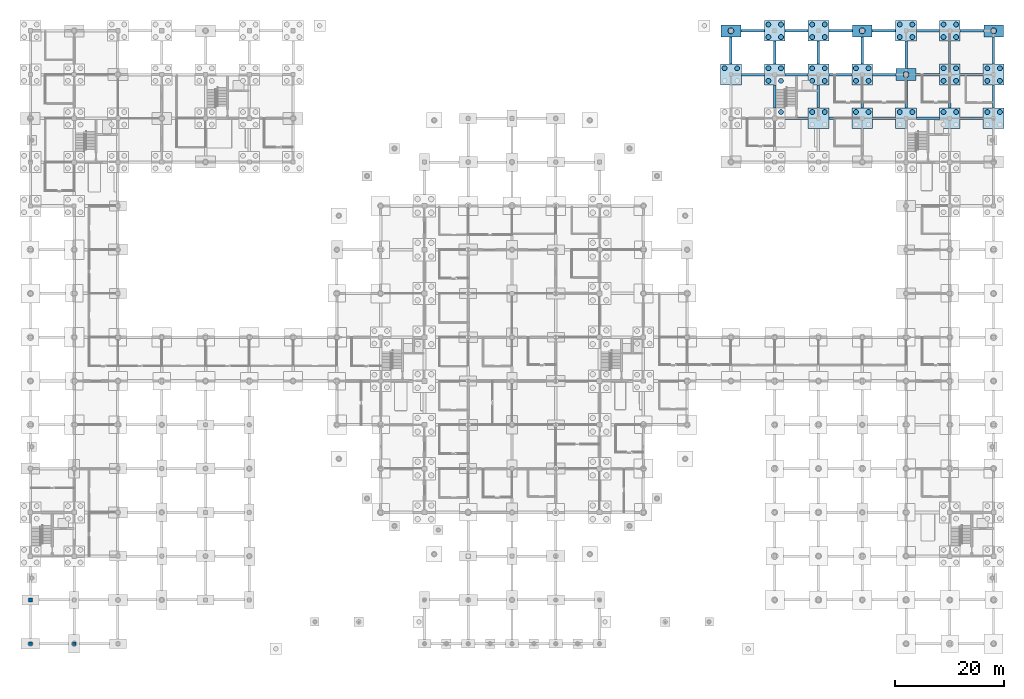
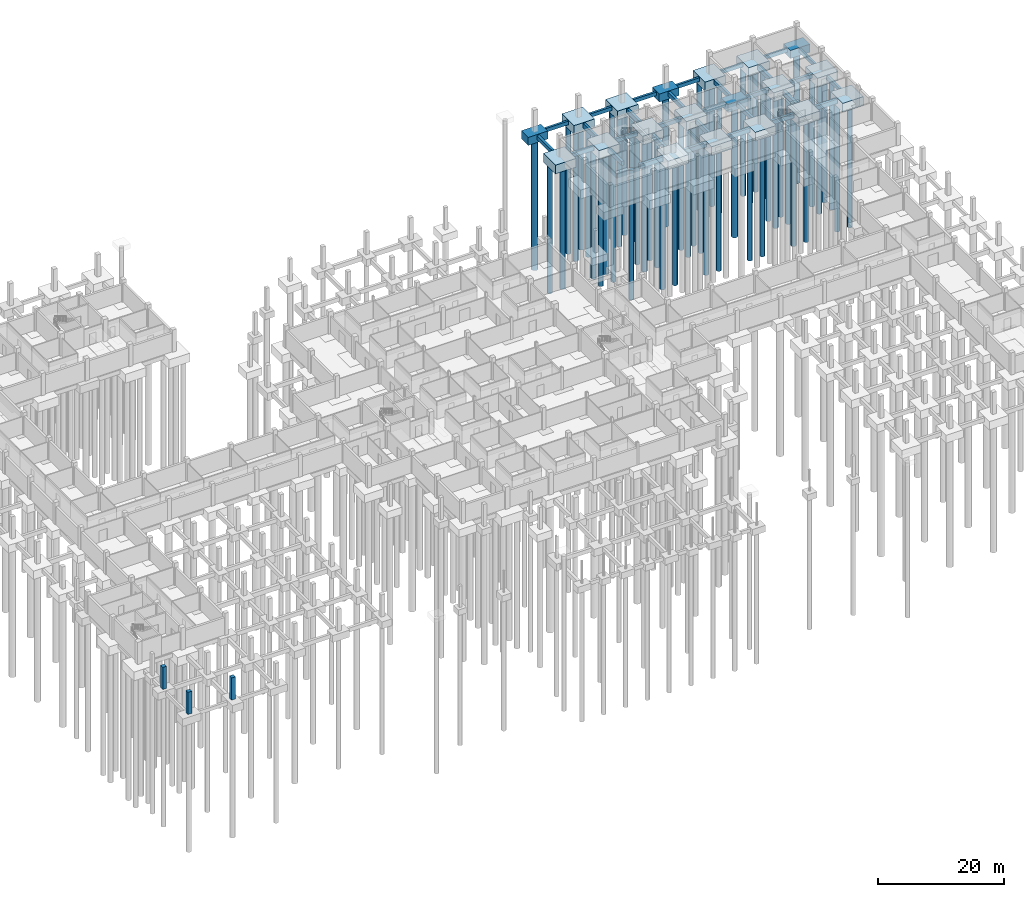
# One storey, part 11 of 48: 53 piles, 49 footings, 3 columns.
"""IFC4 building model written with IfcOpenShell, lengths in metres."""

from ifc_helpers import new_model, si_unit, derived_unit, direction, frame, origin, origin_2d, place, context, subcontext, project, spatial, rectangle, circle, extrude, material, material_profile, profile_set, type_object, element, save


model = new_model("IFC4")

# Units and contexts
model_context = context("Model", 3, precision=1e-05, world=origin(), true_north=direction((0.0, 1.0)))
body_context = subcontext(model_context, "Body", "Model", "MODEL_VIEW")
ifc_project = project(units=[si_unit("LENGTHUNIT", "METRE"), si_unit("AREAUNIT", "SQUARE_METRE"), si_unit("VOLUMEUNIT", "CUBIC_METRE"), si_unit("PLANEANGLEUNIT", "RADIAN"), si_unit("MASSUNIT", "GRAM", prefix="KILO"), derived_unit("THERMALTRANSMITTANCEUNIT", [(si_unit("MASSUNIT", "GRAM", prefix="KILO"), 1), (si_unit("TIMEUNIT", "SECOND"), -3), (si_unit("THERMODYNAMICTEMPERATUREUNIT", "KELVIN"), -1)])], contexts=[model_context])

# Site, building, storey
site_placement = place(None, origin())
site = spatial("IfcSite", under=ifc_project, at=site_placement, CompositionType="ELEMENT")
building_placement = place(site_placement, origin())
building = spatial("IfcBuilding", under=site, at=building_placement, Name="Veyamyaing Civic Hall", CompositionType="ELEMENT")
storey_placement = place(building_placement, frame((0.0, 0.0, -4.2900390625)))
storey = spatial("IfcBuildingStorey", under=building, at=storey_placement, Name="B1", CompositionType="ELEMENT", Elevation=-4.2900390625)

# Footings
ifc_material_1 = material(Name="Concrete C40/50", Category="concrete")
ifc_material_profile_1 = material_profile(ifc_material_1, rectangle(XDim=0.5, YDim=0.85009765625, at=origin_2d()), Name="GB-500X850")
ifc_profile_set_1 = profile_set([ifc_material_profile_1], Name="Concrete C40/50")
footing_type_1 = type_object("IfcFootingType", Name="GB-01", PredefinedType="FOOTING_BEAM", material=ifc_profile_set_1)
for number, where, z_axis, x_axis, name in (
    (1, (137.89990234375, 96.0, -0.574951171875), (1.0, 0.0, 0.0), (0.0, 1.0, 0.0), "Footing tie beam GB-01 X 17-12"),
    (2, (145.89990234375, 96.0, -0.574951171875), (1.0, 0.0, 0.0), (0.0, 1.0, 0.0), "Footing tie beam GB-01 X 18-12"),
    (3, (153.89990234375, 96.0, -0.574951171875), (1.0, 0.0, 0.0), (0.0, 1.0, 0.0), "Footing tie beam GB-01 X 19-12"),
    (4, (161.89990234375, 96.0, -0.574951171875), (1.0, 0.0, 0.0), (0.0, 1.0, 0.0), "Footing tie beam GB-01 X 20-12"),
    (5, (169.89990234375, 96.0, -0.574951171875), (1.0, 0.0, 0.0), (0.0, 1.0, 0.0), "Footing tie beam GB-01 X 21-12"),
    (6, (168.0, 97.89990234375, -0.574951171875), (0.0, 1.0, 0.0), (-1.0, 0.0, 0.0), "Footing tie beam GB-01 Y 21-12"),
    (7, (168.0, 105.89990234375, -0.574951171875), (0.0, 1.0, 0.0), (-1.0, 0.0, 0.0), "Footing tie beam GB-01 Y 21-13"),
):
    element("IfcFooting", number, at=place(storey_placement, frame(where, z_axis=z_axis, x_axis=x_axis)), inside=storey, type_object=footing_type_1, Name=name, PredefinedType="FOOTING_BEAM", context=body_context, shape_type="SweptSolid", body=[
        extrude(rectangle(XDim=0.5, YDim=0.85009765625, at=origin_2d()), origin(), (0.0, 0.0, 1.0), 4.2001953125),
    ])
ifc_material_profile_2 = material_profile(ifc_material_1, rectangle(XDim=0.449951171875, YDim=0.800048828125, at=origin_2d()), Name="GB-450X800")
ifc_profile_set_2 = profile_set([ifc_material_profile_2], Name="Concrete C40/50")
footing_type_2 = type_object("IfcFootingType", Name="GB-02", PredefinedType="FOOTING_BEAM", material=ifc_profile_set_2)
footing_1_placement = place(storey_placement, frame((129.89990234375, 104.0, -0.550048828125), z_axis=(1.0, 0.0, 0.0), x_axis=(0.0, 1.0, 0.0)))
element("IfcFooting", 8, at=footing_1_placement, inside=storey, type_object=footing_type_2, Name="Footing tie beam GB-02 X 16-13", PredefinedType="FOOTING_BEAM", context=body_context, shape_type="SweptSolid", body=[
    extrude(rectangle(XDim=0.449951171875, YDim=0.800048828125, at=origin_2d()), origin(), (0.0, 0.0, 1.0), 4.2001953125),
])
footing_2_placement = place(storey_placement, frame((128.0, 105.89990234375, -0.550048828125), z_axis=(0.0, 1.0, 0.0), x_axis=(-1.0, 0.0, 0.0)))
element("IfcFooting", 9, at=footing_2_placement, inside=storey, type_object=footing_type_2, Name="Footing tie beam GB-02 Y 16-13", PredefinedType="FOOTING_BEAM", context=body_context, shape_type="SweptSolid", body=[
    extrude(rectangle(XDim=0.449951171875, YDim=0.800048828125, at=origin_2d()), origin(), (0.0, 0.0, 1.0), 5.0),
])
for number, where, z_axis, x_axis, name in (
    (10, (136.0, 97.89990234375, -0.550048828125), (0.0, 1.0, 0.0), (-1.0, 0.0, 0.0), "Footing tie beam GB-02 Y 17-12"),
    (11, (137.89990234375, 104.0, -0.550048828125), (1.0, 0.0, 0.0), (0.0, 1.0, 0.0), "Footing tie beam GB-02 X 17-13"),
    (12, (136.0, 105.89990234375, -0.550048828125), (0.0, 1.0, 0.0), (-1.0, 0.0, 0.0), "Footing tie beam GB-02 Y 17-13"),
    (13, (144.0, 97.89990234375, -0.550048828125), (0.0, 1.0, 0.0), (-1.0, 0.0, 0.0), "Footing tie beam GB-02 Y 18-12"),
    (14, (145.89990234375, 104.0, -0.550048828125), (1.0, 0.0, 0.0), (0.0, 1.0, 0.0), "Footing tie beam GB-02 X 18-13"),
    (15, (144.0, 105.89990234375, -0.550048828125), (0.0, 1.0, 0.0), (-1.0, 0.0, 0.0), "Footing tie beam GB-02 Y 18-13"),
    (16, (152.0, 97.89990234375, -0.550048828125), (0.0, 1.0, 0.0), (-1.0, 0.0, 0.0), "Footing tie beam GB-02 Y 19-12"),
):
    element("IfcFooting", number, at=place(storey_placement, frame(where, z_axis=z_axis, x_axis=x_axis)), inside=storey, type_object=footing_type_2, Name=name, PredefinedType="FOOTING_BEAM", context=body_context, shape_type="SweptSolid", body=[
        extrude(rectangle(XDim=0.449951171875, YDim=0.800048828125, at=origin_2d()), origin(), (0.0, 0.0, 1.0), 4.2001953125),
    ])
footing_3_placement = place(storey_placement, frame((153.89990234375, 104.0, -0.550048828125), z_axis=(1.0, 0.0, 0.0), x_axis=(0.0, 1.0, 0.0)))
element("IfcFooting", 17, at=footing_3_placement, inside=storey, type_object=footing_type_2, Name="Footing tie beam GB-02 X 19-13", PredefinedType="FOOTING_BEAM", context=body_context, shape_type="SweptSolid", body=[
    extrude(rectangle(XDim=0.449951171875, YDim=0.800048828125, at=origin_2d()), origin(), (0.0, 0.0, 1.0), 4.300048828125),
])
for number, where, z_axis, x_axis, name in (
    (18, (152.0, 105.89990234375, -0.550048828125), (0.0, 1.0, 0.0), (-1.0, 0.0, 0.0), "Footing tie beam GB-02 Y 19-13"),
    (19, (160.0, 97.89990234375, -0.550048828125), (0.0, 1.0, 0.0), (-1.0, 0.0, 0.0), "Footing tie beam GB-02 Y 20-12"),
):
    element("IfcFooting", number, at=place(storey_placement, frame(where, z_axis=z_axis, x_axis=x_axis)), inside=storey, type_object=footing_type_2, Name=name, PredefinedType="FOOTING_BEAM", context=body_context, shape_type="SweptSolid", body=[
        extrude(rectangle(XDim=0.449951171875, YDim=0.800048828125, at=origin_2d()), origin(), (0.0, 0.0, 1.0), 5.0),
    ])
footing_4_placement = place(storey_placement, frame((161.800048828125, 104.0, -0.550048828125), z_axis=(1.0, 0.0, 0.0), x_axis=(0.0, 1.0, 0.0)))
element("IfcFooting", 20, at=footing_4_placement, inside=storey, type_object=footing_type_2, Name="Footing tie beam GB-02 X 20-13", PredefinedType="FOOTING_BEAM", context=body_context, shape_type="SweptSolid", body=[
    extrude(rectangle(XDim=0.449951171875, YDim=0.800048828125, at=origin_2d()), origin(), (0.0, 0.0, 1.0), 4.300048828125),
])
footing_5_placement = place(storey_placement, frame((160.0, 105.10009765625, -0.550048828125), z_axis=(0.0, 1.0, 0.0), x_axis=(-1.0, 0.0, 0.0)))
element("IfcFooting", 21, at=footing_5_placement, inside=storey, type_object=footing_type_2, Name="Footing tie beam GB-02 Y 20-13", PredefinedType="FOOTING_BEAM", context=body_context, shape_type="SweptSolid", body=[
    extrude(rectangle(XDim=0.449951171875, YDim=0.800048828125, at=origin_2d()), origin(), (0.0, 0.0, 1.0), 5.0),
])
footing_6_placement = place(storey_placement, frame((169.89990234375, 104.0, -0.550048828125), z_axis=(1.0, 0.0, 0.0), x_axis=(0.0, 1.0, 0.0)))
element("IfcFooting", 22, at=footing_6_placement, inside=storey, type_object=footing_type_2, Name="Footing tie beam GB-02 X 21-13", PredefinedType="FOOTING_BEAM", context=body_context, shape_type="SweptSolid", body=[
    extrude(rectangle(XDim=0.449951171875, YDim=0.800048828125, at=origin_2d()), origin(), (0.0, 0.0, 1.0), 4.2001953125),
])
ifc_material_profile_3 = material_profile(ifc_material_1, rectangle(XDim=0.39990234375, YDim=0.699951171875, at=origin_2d()), Name="GB-400X700")
ifc_profile_set_3 = profile_set([ifc_material_profile_3], Name="Concrete C40/50")
footing_type_3 = type_object("IfcFootingType", Name="GB-03", PredefinedType="FOOTING_BEAM", material=ifc_profile_set_3)
footing_7_placement = place(storey_placement, frame((129.800048828125, 112.0, -0.5), z_axis=(1.0, 0.0, 0.0), x_axis=(0.0, 1.0, 0.0)))
element("IfcFooting", 23, at=footing_7_placement, inside=storey, type_object=footing_type_3, Name="Footing tie beam GB-03 X 16-14", PredefinedType="FOOTING_BEAM", context=body_context, shape_type="SweptSolid", body=[
    extrude(rectangle(XDim=0.39990234375, YDim=0.699951171875, at=origin_2d()), origin(), (0.0, 0.0, 1.0), 4.300048828125),
])
footing_8_placement = place(storey_placement, frame((137.89990234375, 112.0, -0.5), z_axis=(1.0, 0.0, 0.0), x_axis=(0.0, 1.0, 0.0)))
element("IfcFooting", 24, at=footing_8_placement, inside=storey, type_object=footing_type_3, Name="Footing tie beam GB-03 X 17-14", PredefinedType="FOOTING_BEAM", context=body_context, shape_type="SweptSolid", body=[
    extrude(rectangle(XDim=0.39990234375, YDim=0.699951171875, at=origin_2d()), origin(), (0.0, 0.0, 1.0), 4.2001953125),
])
for number, where, z_axis, x_axis, name in (
    (25, (145.89990234375, 112.0, -0.5), (1.0, 0.0, 0.0), (0.0, 1.0, 0.0), "Footing tie beam GB-03 X 18-14"),
    (26, (153.800048828125, 112.0, -0.5), (1.0, 0.0, 0.0), (0.0, 1.0, 0.0), "Footing tie beam GB-03 X 19-14"),
):
    element("IfcFooting", number, at=place(storey_placement, frame(where, z_axis=z_axis, x_axis=x_axis)), inside=storey, type_object=footing_type_3, Name=name, PredefinedType="FOOTING_BEAM", context=body_context, shape_type="SweptSolid", body=[
        extrude(rectangle(XDim=0.39990234375, YDim=0.699951171875, at=origin_2d()), origin(), (0.0, 0.0, 1.0), 4.300048828125),
    ])
footing_9_placement = place(storey_placement, frame((161.89990234375, 112.0, -0.5), z_axis=(1.0, 0.0, 0.0), x_axis=(0.0, 1.0, 0.0)))
element("IfcFooting", 27, at=footing_9_placement, inside=storey, type_object=footing_type_3, Name="Footing tie beam GB-03 X 20-14", PredefinedType="FOOTING_BEAM", context=body_context, shape_type="SweptSolid", body=[
    extrude(rectangle(XDim=0.39990234375, YDim=0.699951171875, at=origin_2d()), origin(), (0.0, 0.0, 1.0), 4.2001953125),
])
footing_10_placement = place(storey_placement, frame((169.89990234375, 112.0, -0.5), z_axis=(1.0, 0.0, 0.0), x_axis=(0.0, 1.0, 0.0)))
element("IfcFooting", 28, at=footing_10_placement, inside=storey, type_object=footing_type_3, Name="Footing tie beam GB-03 X 21-14", PredefinedType="FOOTING_BEAM", context=body_context, shape_type="SweptSolid", body=[
    extrude(rectangle(XDim=0.39990234375, YDim=0.699951171875, at=origin_2d()), origin(), (0.0, 0.0, 1.0), 4.300048828125),
])
footing_11_placement = place(storey_placement, frame((176.0, 97.89990234375, -0.5), z_axis=(0.0, 1.0, 0.0), x_axis=(-1.0, 0.0, 0.0)))
element("IfcFooting", 29, at=footing_11_placement, inside=storey, type_object=footing_type_3, Name="Footing tie beam GB-03 Y 22-12", PredefinedType="FOOTING_BEAM", context=body_context, shape_type="SweptSolid", body=[
    extrude(rectangle(XDim=0.39990234375, YDim=0.699951171875, at=origin_2d()), origin(), (0.0, 0.0, 1.0), 4.2001953125),
])
footing_12_placement = place(storey_placement, frame((176.0, 105.89990234375, -0.5), z_axis=(0.0, 1.0, 0.0), x_axis=(-1.0, 0.0, 0.0)))
element("IfcFooting", 30, at=footing_12_placement, inside=storey, type_object=footing_type_3, Name="Footing tie beam GB-03 Y 22-13", PredefinedType="FOOTING_BEAM", context=body_context, shape_type="SweptSolid", body=[
    extrude(rectangle(XDim=0.39990234375, YDim=0.699951171875, at=origin_2d()), origin(), (0.0, 0.0, 1.0), 5.0),
])

# Piles
ifc_material_2 = material(Name="Concrete C35/45", Category="concrete")
ifc_material_profile_4 = material_profile(ifc_material_2, circle(Radius=0.550048828125, at=origin_2d()), Name="PILE-D1100")
ifc_profile_set_4 = profile_set([ifc_material_profile_4], Name="Concrete C35/45")
pile_type_1 = type_object("IfcPileType", Name="P-02", PredefinedType="BORED", material=ifc_profile_set_4)
for number, where, z_axis, x_axis, name in (
    (31, (128.0, 112.0, -1.449951171875), (0.0, 0.0, -1.0), (1.0, 0.0, 0.0), "Bored pile P-02 G16-14.1"),
    (32, (152.0, 112.0, -1.449951171875), (0.0, 0.0, -1.0), (1.0, 0.0, 0.0), "Bored pile P-02 G19-14.1"),
    (33, (160.0, 104.0, -1.449951171875), (0.0, 0.0, -1.0), (1.0, 0.0, 0.0), "Bored pile P-02 G20-13.1"),
    (34, (176.0, 112.0, -1.449951171875), (0.0, 0.0, -1.0), (1.0, 0.0, 0.0), "Bored pile P-02 G22-14.1"),
):
    element("IfcPile", number, at=place(storey_placement, frame(where, z_axis=z_axis, x_axis=x_axis)), inside=storey, type_object=pile_type_1, Name=name, PredefinedType="BORED", context=body_context, shape_type="SweptSolid", body=[
        extrude(circle(Radius=0.550048828125, at=origin_2d()), origin(), (0.0, 0.0, 1.0), 25.260009765625),
    ])
ifc_material_profile_5 = material_profile(ifc_material_2, circle(Radius=0.449951171875, at=origin_2d()), Name="PILE-D900")
ifc_profile_set_5 = profile_set([ifc_material_profile_5], Name="Concrete C35/45")
pile_type_2 = type_object("IfcPileType", Name="P-04", PredefinedType="BORED", material=ifc_profile_set_5)
for number, where, z_axis, x_axis, name in (
    (35, (126.85009765625, 105.14990234375, -1.599853515625), (0.0, 0.0, -1.0), (1.0, 0.0, 0.0), "Bored pile P-04 G16-13.2"),
    (36, (129.14990234375, 105.14990234375, -1.599853515625), (0.0, 0.0, -1.0), (1.0, 0.0, 0.0), "Bored pile P-04 G16-13.4"),
    (37, (137.14990234375, 97.14990234375, -1.599853515625), (0.0, 0.0, -1.0), (1.0, 0.0, 0.0), "Bored pile P-04 G17-12.4"),
    (38, (134.85009765625, 102.85009765625, -1.599853515625), (0.0, 0.0, -1.0), (1.0, 0.0, 0.0), "Bored pile P-04 G17-13.1"),
    (39, (134.85009765625, 105.14990234375, -1.599853515625), (0.0, 0.0, -1.0), (1.0, 0.0, 0.0), "Bored pile P-04 G17-13.2"),
    (40, (137.14990234375, 102.85009765625, -1.599853515625), (0.0, 0.0, -1.0), (1.0, 0.0, 0.0), "Bored pile P-04 G17-13.3"),
    (41, (137.14990234375, 105.14990234375, -1.599853515625), (0.0, 0.0, -1.0), (1.0, 0.0, 0.0), "Bored pile P-04 G17-13.4"),
    (42, (134.85009765625, 110.85009765625, -1.599853515625), (0.0, 0.0, -1.0), (1.0, 0.0, 0.0), "Bored pile P-04 G17-14.1"),
    (43, (134.85009765625, 113.14990234375, -1.599853515625), (0.0, 0.0, -1.0), (1.0, 0.0, 0.0), "Bored pile P-04 G17-14.2"),
    (44, (137.14990234375, 110.85009765625, -1.599853515625), (0.0, 0.0, -1.0), (1.0, 0.0, 0.0), "Bored pile P-04 G17-14.3"),
    (45, (137.14990234375, 113.14990234375, -1.599853515625), (0.0, 0.0, -1.0), (1.0, 0.0, 0.0), "Bored pile P-04 G17-14.4"),
    (46, (142.85009765625, 97.14990234375, -1.599853515625), (0.0, 0.0, -1.0), (1.0, 0.0, 0.0), "Bored pile P-04 G18-12.2"),
    (47, (145.14990234375, 97.14990234375, -1.599853515625), (0.0, 0.0, -1.0), (1.0, 0.0, 0.0), "Bored pile P-04 G18-12.4"),
    (48, (142.85009765625, 102.85009765625, -1.599853515625), (0.0, 0.0, -1.0), (1.0, 0.0, 0.0), "Bored pile P-04 G18-13.1"),
    (49, (142.85009765625, 105.14990234375, -1.599853515625), (0.0, 0.0, -1.0), (1.0, 0.0, 0.0), "Bored pile P-04 G18-13.2"),
    (50, (145.14990234375, 102.85009765625, -1.599853515625), (0.0, 0.0, -1.0), (1.0, 0.0, 0.0), "Bored pile P-04 G18-13.3"),
    (51, (145.14990234375, 105.14990234375, -1.599853515625), (0.0, 0.0, -1.0), (1.0, 0.0, 0.0), "Bored pile P-04 G18-13.4"),
    (52, (142.85009765625, 110.85009765625, -1.599853515625), (0.0, 0.0, -1.0), (1.0, 0.0, 0.0), "Bored pile P-04 G18-14.1"),
    (53, (142.85009765625, 113.14990234375, -1.599853515625), (0.0, 0.0, -1.0), (1.0, 0.0, 0.0), "Bored pile P-04 G18-14.2"),
    (54, (145.14990234375, 110.85009765625, -1.599853515625), (0.0, 0.0, -1.0), (1.0, 0.0, 0.0), "Bored pile P-04 G18-14.3"),
    (55, (145.14990234375, 113.14990234375, -1.599853515625), (0.0, 0.0, -1.0), (1.0, 0.0, 0.0), "Bored pile P-04 G18-14.4"),
    (56, (150.85009765625, 97.14990234375, -1.599853515625), (0.0, 0.0, -1.0), (1.0, 0.0, 0.0), "Bored pile P-04 G19-12.2"),
    (57, (153.14990234375, 97.14990234375, -1.599853515625), (0.0, 0.0, -1.0), (1.0, 0.0, 0.0), "Bored pile P-04 G19-12.4"),
    (58, (150.85009765625, 102.85009765625, -1.599853515625), (0.0, 0.0, -1.0), (1.0, 0.0, 0.0), "Bored pile P-04 G19-13.1"),
    (59, (150.85009765625, 105.14990234375, -1.599853515625), (0.0, 0.0, -1.0), (1.0, 0.0, 0.0), "Bored pile P-04 G19-13.2"),
    (60, (153.14990234375, 102.85009765625, -1.599853515625), (0.0, 0.0, -1.0), (1.0, 0.0, 0.0), "Bored pile P-04 G19-13.3"),
    (61, (153.14990234375, 105.14990234375, -1.599853515625), (0.0, 0.0, -1.0), (1.0, 0.0, 0.0), "Bored pile P-04 G19-13.4"),
    (62, (158.85009765625, 97.14990234375, -1.599853515625), (0.0, 0.0, -1.0), (1.0, 0.0, 0.0), "Bored pile P-04 G20-12.2"),
    (63, (161.14990234375, 97.14990234375, -1.599853515625), (0.0, 0.0, -1.0), (1.0, 0.0, 0.0), "Bored pile P-04 G20-12.4"),
    (64, (158.85009765625, 110.85009765625, -1.599853515625), (0.0, 0.0, -1.0), (1.0, 0.0, 0.0), "Bored pile P-04 G20-14.1"),
    (65, (158.85009765625, 113.14990234375, -1.599853515625), (0.0, 0.0, -1.0), (1.0, 0.0, 0.0), "Bored pile P-04 G20-14.2"),
    (66, (161.14990234375, 110.85009765625, -1.599853515625), (0.0, 0.0, -1.0), (1.0, 0.0, 0.0), "Bored pile P-04 G20-14.3"),
    (67, (161.14990234375, 113.14990234375, -1.599853515625), (0.0, 0.0, -1.0), (1.0, 0.0, 0.0), "Bored pile P-04 G20-14.4"),
    (68, (166.85009765625, 97.14990234375, -1.599853515625), (0.0, 0.0, -1.0), (1.0, 0.0, 0.0), "Bored pile P-04 G21-12.2"),
    (69, (169.14990234375, 97.14990234375, -1.599853515625), (0.0, 0.0, -1.0), (1.0, 0.0, 0.0), "Bored pile P-04 G21-12.4"),
    (70, (166.85009765625, 102.85009765625, -1.599853515625), (0.0, 0.0, -1.0), (1.0, 0.0, 0.0), "Bored pile P-04 G21-13.1"),
    (71, (166.85009765625, 105.14990234375, -1.599853515625), (0.0, 0.0, -1.0), (1.0, 0.0, 0.0), "Bored pile P-04 G21-13.2"),
    (72, (169.14990234375, 102.85009765625, -1.599853515625), (0.0, 0.0, -1.0), (1.0, 0.0, 0.0), "Bored pile P-04 G21-13.3"),
    (73, (169.14990234375, 105.14990234375, -1.599853515625), (0.0, 0.0, -1.0), (1.0, 0.0, 0.0), "Bored pile P-04 G21-13.4"),
    (74, (166.85009765625, 110.85009765625, -1.599853515625), (0.0, 0.0, -1.0), (1.0, 0.0, 0.0), "Bored pile P-04 G21-14.1"),
    (75, (166.85009765625, 113.14990234375, -1.599853515625), (0.0, 0.0, -1.0), (1.0, 0.0, 0.0), "Bored pile P-04 G21-14.2"),
    (76, (169.14990234375, 110.85009765625, -1.599853515625), (0.0, 0.0, -1.0), (1.0, 0.0, 0.0), "Bored pile P-04 G21-14.3"),
    (77, (169.14990234375, 113.14990234375, -1.599853515625), (0.0, 0.0, -1.0), (1.0, 0.0, 0.0), "Bored pile P-04 G21-14.4"),
    (78, (174.85009765625, 97.14990234375, -1.599853515625), (0.0, 0.0, -1.0), (1.0, 0.0, 0.0), "Bored pile P-04 G22-12.2"),
    (79, (177.14990234375, 97.14990234375, -1.599853515625), (0.0, 0.0, -1.0), (1.0, 0.0, 0.0), "Bored pile P-04 G22-12.4"),
    (80, (174.85009765625, 102.85009765625, -1.599853515625), (0.0, 0.0, -1.0), (1.0, 0.0, 0.0), "Bored pile P-04 G22-13.1"),
    (81, (174.85009765625, 105.14990234375, -1.599853515625), (0.0, 0.0, -1.0), (1.0, 0.0, 0.0), "Bored pile P-04 G22-13.2"),
    (82, (177.14990234375, 102.85009765625, -1.599853515625), (0.0, 0.0, -1.0), (1.0, 0.0, 0.0), "Bored pile P-04 G22-13.3"),
    (83, (177.14990234375, 105.14990234375, -1.599853515625), (0.0, 0.0, -1.0), (1.0, 0.0, 0.0), "Bored pile P-04 G22-13.4"),
):
    element("IfcPile", number, at=place(storey_placement, frame(where, z_axis=z_axis, x_axis=x_axis)), inside=storey, type_object=pile_type_2, Name=name, PredefinedType="BORED", context=body_context, shape_type="SweptSolid", body=[
        extrude(circle(Radius=0.449951171875, at=origin_2d()), origin(), (0.0, 0.0, 1.0), 25.110107421875),
    ])

# Footings
footing_type_4 = type_object("IfcFootingType", Name="PC-01", PredefinedType="PILE_CAP", material=ifc_material_1)
for number, where, z_axis, x_axis, name in (
    (84, (128.0, 104.0, -1.69970703125), (0.0, 0.0, 1.0), (1.0, 0.0, 0.0), "Pile cap PC-01 G16-13"),
    (85, (136.0, 104.0, -1.69970703125), (0.0, 0.0, 1.0), (1.0, 0.0, 0.0), "Pile cap PC-01 G17-13"),
    (86, (136.0, 112.0, -1.69970703125), (0.0, 0.0, 1.0), (1.0, 0.0, 0.0), "Pile cap PC-01 G17-14"),
    (87, (144.0, 96.0, -1.69970703125), (0.0, 0.0, 1.0), (1.0, 0.0, 0.0), "Pile cap PC-01 G18-12"),
    (88, (144.0, 104.0, -1.69970703125), (0.0, 0.0, 1.0), (1.0, 0.0, 0.0), "Pile cap PC-01 G18-13"),
    (89, (144.0, 112.0, -1.69970703125), (0.0, 0.0, 1.0), (1.0, 0.0, 0.0), "Pile cap PC-01 G18-14"),
    (90, (152.0, 96.0, -1.69970703125), (0.0, 0.0, 1.0), (1.0, 0.0, 0.0), "Pile cap PC-01 G19-12"),
    (91, (152.0, 104.0, -1.69970703125), (0.0, 0.0, 1.0), (1.0, 0.0, 0.0), "Pile cap PC-01 G19-13"),
    (92, (160.0, 96.0, -1.69970703125), (0.0, 0.0, 1.0), (1.0, 0.0, 0.0), "Pile cap PC-01 G20-12"),
    (93, (160.0, 112.0, -1.69970703125), (0.0, 0.0, 1.0), (1.0, 0.0, 0.0), "Pile cap PC-01 G20-14"),
    (94, (168.0, 96.0, -1.69970703125), (0.0, 0.0, 1.0), (1.0, 0.0, 0.0), "Pile cap PC-01 G21-12"),
    (95, (168.0, 104.0, -1.69970703125), (0.0, 0.0, 1.0), (1.0, 0.0, 0.0), "Pile cap PC-01 G21-13"),
    (96, (168.0, 112.0, -1.69970703125), (0.0, 0.0, 1.0), (1.0, 0.0, 0.0), "Pile cap PC-01 G21-14"),
    (97, (176.0, 96.0, -1.69970703125), (0.0, 0.0, 1.0), (1.0, 0.0, 0.0), "Pile cap PC-01 G22-12"),
    (98, (176.0, 104.0, -1.69970703125), (0.0, 0.0, 1.0), (1.0, 0.0, 0.0), "Pile cap PC-01 G22-13"),
):
    element("IfcFooting", number, at=place(storey_placement, frame(where, z_axis=z_axis, x_axis=x_axis)), inside=storey, type_object=footing_type_4, Name=name, PredefinedType="PILE_CAP", context=body_context, shape_type="SweptSolid", body=[
        extrude(rectangle(XDim=3.800048828125, YDim=3.800048828125, at=origin_2d()), origin(), (0.0, 0.0, 1.0), 1.699951171875),
    ])
footing_type_5 = type_object("IfcFootingType", Name="PC-12", PredefinedType="PILE_CAP", material=ifc_material_1)
for number, where, z_axis, x_axis, name in (
    (99, (128.0, 112.0, -1.5498046875), (0.0, 0.0, 1.0), (1.0, 0.0, 0.0), "Pile cap PC-12 G16-14"),
    (100, (152.0, 112.0, -1.5498046875), (0.0, 0.0, 1.0), (1.0, 0.0, 0.0), "Pile cap PC-12 G19-14"),
    (101, (160.0, 104.0, -1.5498046875), (0.0, 0.0, 1.0), (1.0, 0.0, 0.0), "Pile cap PC-12 G20-13"),
    (102, (176.0, 112.0, -1.5498046875), (0.0, 0.0, 1.0), (1.0, 0.0, 0.0), "Pile cap PC-12 G22-14"),
):
    element("IfcFooting", number, at=place(storey_placement, frame(where, z_axis=z_axis, x_axis=x_axis)), inside=storey, type_object=footing_type_5, Name=name, PredefinedType="PILE_CAP", context=body_context, shape_type="SweptSolid", body=[
        extrude(rectangle(XDim=3.60009765625, YDim=2.199951171875, at=origin_2d()), origin(), (0.0, 0.0, 1.0), 1.550048828125),
    ])

# Columns
ifc_material_3 = material(Name="Concrete C45/55", Category="concrete")
ifc_material_profile_6 = material_profile(ifc_material_3, rectangle(XDim=0.699951171875, YDim=0.699951171875, at=origin_2d()), Name="RC-COL-700X700")
ifc_profile_set_6 = profile_set([ifc_material_profile_6], Name="Concrete C45/55")
column_type = type_object("IfcColumnType", Name="C-04", PredefinedType="COLUMN", material=ifc_profile_set_6)
for number, where, z_axis, x_axis, name in (
    (103, (0.0, 0.0, 0.0), (0.0, 0.0, 1.0), (1.0, 0.0, 0.0), "Column C-04 1-A B1"),
    (104, (0.0, 8.0, 0.0), (0.0, 0.0, 1.0), (1.0, 0.0, 0.0), "Column C-04 1-B B1"),
    (105, (8.0, 0.0, 0.0), (0.0, 0.0, 1.0), (1.0, 0.0, 0.0), "Column C-04 2-A B1"),
):
    element("IfcColumn", number, at=place(storey_placement, frame(where, z_axis=z_axis, x_axis=x_axis)), inside=storey, type_object=column_type, Name=name, PredefinedType="COLUMN", context=body_context, shape_type="SweptSolid", body=[
        extrude(rectangle(XDim=0.699951171875, YDim=0.699951171875, at=origin_2d()), origin(), (0.0, 0.0, 1.0), 4.2900390625),
    ])

save(model, "model.ifc")
